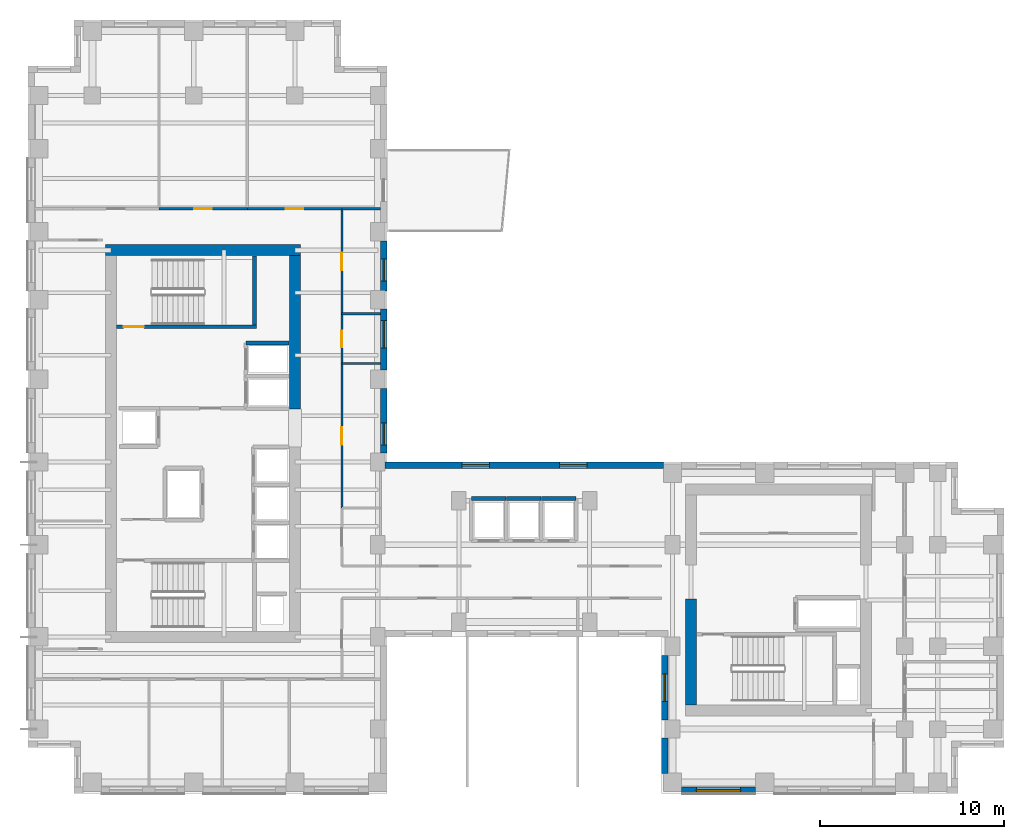
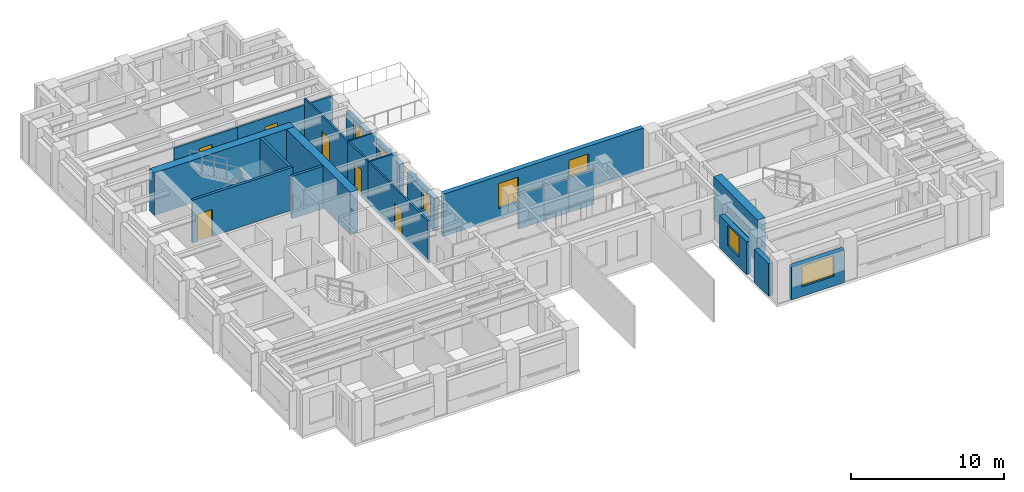
# One storey, part 6 of 11: 24 walls, 7 windows, 6 doors, 13 openings.
"""IFC4 building model written with IfcOpenShell, lengths in metres."""

from ifc_helpers import new_model, si_unit, direction, frame, frame_2d, origin, place, context, subcontext, project, spatial, rectangle, extrude, source, transform, mapped, material, layer, layer_set, type_object, element, fill, save


model = new_model("IFC4")

# Units and contexts
model_context = context("Model", 3, precision=1e-05, world=origin(), true_north=direction((0.0, 1.0)))
body_context = subcontext(model_context, "Body", "Model", "MODEL_VIEW")
ifc_project = project(units=[si_unit("LENGTHUNIT", "METRE"), si_unit("AREAUNIT", "SQUARE_METRE"), si_unit("VOLUMEUNIT", "CUBIC_METRE"), si_unit("PLANEANGLEUNIT", "RADIAN"), si_unit("MASSUNIT", "GRAM", prefix="KILO")], contexts=[model_context])

# Site, building, storey
site_placement = place(None, origin())
site = spatial("IfcSite", under=ifc_project, at=site_placement, CompositionType="ELEMENT")
building_placement = place(site_placement, origin())
building = spatial("IfcBuilding", under=site, at=building_placement, Name="Kharzan Plaza Tower", CompositionType="ELEMENT")
storey_placement = place(building_placement, frame((0.0, 0.0, 200.699951171875)))
storey = spatial("IfcBuildingStorey", under=building, at=storey_placement, Name="L54", CompositionType="ELEMENT", Elevation=200.699951171875)

# Wall, opening, window
ifc_material_1 = material(Name="Concrete C40/50", Category="concrete")
ifc_layer_1 = layer(ifc_material_1, 0.35009765625)
ifc_layer_set_1 = layer_set([ifc_layer_1], Name="Concrete C40/50")
wall_type_1 = type_object("IfcWallType", Name="WL-EXT-MAS-Z3", PredefinedType="SOLIDWALL", material=ifc_layer_set_1)
wall_1_placement = place(storey_placement, frame((34.574951171875, 7.501953125, 0.0), z_axis=(0.0, 0.0, 1.0), x_axis=(0.0, -1.0, 0.0)))
wall_1 = element("IfcWall", 1, at=wall_1_placement, inside=storey, type_object=wall_type_1, Name="L54 Masonry-Frame Exterior Wall 29", PredefinedType="SOLIDWALL", context=body_context, shape_type="SweptSolid", body=[
    extrude(rectangle(XDim=3.50390625, YDim=0.35009765625, at=frame_2d((1.751953125, 0.0))), origin(), (0.0, 0.0, 1.0), 2.612060546875),
])
opening_1_placement = place(wall_1_placement, frame((1.001953125, 0.0, 0.780029296875)))
opening_1 = element("IfcOpeningElement", 2, at=opening_1_placement, cuts=wall_1, Name="Opening W5", PredefinedType="OPENING", context=body_context, shape_type="SweptSolid", body=[
    extrude(rectangle(XDim=1.5, YDim=1.652099609375, at=frame_2d((0.75, 0.826171875))), frame((0.0, 0.18505859375, 0.0), z_axis=(0.0, -1.0, 0.0), x_axis=(1.0, 0.0, 0.0)), (0.0, 0.0, 1.0), 0.3701171875),
])
ifc_material_2 = material(Name="Low-E Double Glazing", Category="glass")
window_type_1 = type_object("IfcWindowType", Name="WN-SLT-1500x2000", PartitioningType="SINGLE_PANEL", PredefinedType="WINDOW", material=ifc_material_2)
shared_shape_1 = source(origin(), body_context, "Body", "SweptSolid", [
    extrude(rectangle(XDim=1.5, YDim=1.652099609375, at=frame_2d((0.75, 0.826171875))), frame((0.0, 0.030029296875, 0.0), z_axis=(0.0, -1.0, 0.0), x_axis=(1.0, 0.0, 0.0)), (0.0, 0.0, 1.0), 0.06005859375),
])
window_1_placement = place(opening_1_placement, origin())
window_1 = element("IfcWindow", 3, at=window_1_placement, inside=storey, type_object=window_type_1, Name="L54 Recessed Solar-Control Window 29-1", OverallHeight=1.652099609375, OverallWidth=1.5, PartitioningType="SINGLE_PANEL", PredefinedType="WINDOW", context=body_context, shape_type="MappedRepresentation", body=[
    mapped(shared_shape_1, transform((0.0, 0.0, 0.0), x_axis=(1.0, 0.0, 0.0), y_axis=(0.0, 1.0, 0.0), z_axis=(0.0, 0.0, 1.0))),
])
fill(opening_1, window_1)

wall_2_placement = place(storey_placement, frame((35.498046875, 0.175048828125, 0.0), z_axis=(0.0, 0.0, 1.0), x_axis=(1.0, 0.0, 0.0)))
wall_2 = element("IfcWall", 4, at=wall_2_placement, inside=storey, type_object=wall_type_1, Name="L54 Masonry-Frame Exterior Wall 31", PredefinedType="SOLIDWALL", context=body_context, shape_type="SweptSolid", body=[
    extrude(rectangle(XDim=4.00390625, YDim=0.35009765625, at=frame_2d((2.001953125, 0.0))), origin(), (0.0, 0.0, 1.0), 2.612060546875),
])
opening_2_placement = place(wall_2_placement, frame((0.802001953125, 0.0, 0.780029296875)))
opening_2 = element("IfcOpeningElement", 5, at=opening_2_placement, cuts=wall_2, Name="Opening W2", PredefinedType="OPENING", context=body_context, shape_type="SweptSolid", body=[
    extrude(rectangle(XDim=2.39990234375, YDim=1.652099609375, at=frame_2d((1.199951171875, 0.826171875))), frame((0.0, 0.18505859375, 0.0), z_axis=(0.0, -1.0, 0.0), x_axis=(1.0, 0.0, 0.0)), (0.0, 0.0, 1.0), 0.3701171875),
])
window_type_2 = type_object("IfcWindowType", Name="WN-REC-2400x2100", PartitioningType="SINGLE_PANEL", PredefinedType="WINDOW", material=ifc_material_2)
shared_shape_2 = source(origin(), body_context, "Body", "SweptSolid", [
    extrude(rectangle(XDim=2.39990234375, YDim=1.652099609375, at=frame_2d((1.199951171875, 0.826171875))), frame((0.0, 0.030029296875, 0.0), z_axis=(0.0, -1.0, 0.0), x_axis=(1.0, 0.0, 0.0)), (0.0, 0.0, 1.0), 0.06005859375),
])
window_2_placement = place(opening_2_placement, origin())
window_2 = element("IfcWindow", 6, at=window_2_placement, inside=storey, type_object=window_type_2, Name="L54 Wide Recessed Solar-Control Window 31-1", OverallHeight=1.652099609375, OverallWidth=2.39990234375, PartitioningType="SINGLE_PANEL", PredefinedType="WINDOW", context=body_context, shape_type="MappedRepresentation", body=[
    mapped(shared_shape_2, transform((0.0, 0.0, 0.0), x_axis=(1.0, 0.0, 0.0), y_axis=(0.0, 1.0, 0.0), z_axis=(0.0, 0.0, 1.0))),
])
fill(opening_2, window_2)

# Wall, openings, windows
wall_3_placement = place(storey_placement, frame((34.501953125, 17.824951171875, 0.0), z_axis=(0.0, 0.0, 1.0), x_axis=(-1.0, 0.0, 0.0)))
wall_3 = element("IfcWall", 7, at=wall_3_placement, inside=storey, type_object=wall_type_1, Name="L54 Masonry-Frame Exterior Wall 46", PredefinedType="SOLIDWALL", context=body_context, shape_type="SweptSolid", body=[
    extrude(rectangle(XDim=15.10400390625, YDim=0.35009765625, at=frame_2d((7.552001953125, 0.0))), origin(), (0.0, 0.0, 1.0), 3.385009765625),
])
opening_3_placement = place(wall_3_placement, frame((4.131103515625, 0.0, 0.780029296875)))
opening_3 = element("IfcOpeningElement", 8, at=opening_3_placement, cuts=wall_3, Name="Opening W5", PredefinedType="OPENING", context=body_context, shape_type="SweptSolid", body=[
    extrude(rectangle(XDim=1.5, YDim=2.0, at=frame_2d((0.75, 1.0))), frame((0.0, 0.18505859375, 0.0), z_axis=(0.0, -1.0, 0.0), x_axis=(1.0, 0.0, 0.0)), (0.0, 0.0, 1.0), 0.3701171875),
])
opening_4_placement = place(wall_3_placement, frame((9.4423828125, 0.0, 0.780029296875)))
opening_4 = element("IfcOpeningElement", 9, at=opening_4_placement, cuts=wall_3, Name="Opening W5", PredefinedType="OPENING", context=body_context, shape_type="SweptSolid", body=[
    extrude(rectangle(XDim=1.5, YDim=2.0, at=frame_2d((0.75, 1.0))), frame((0.0, 0.18505859375, 0.0), z_axis=(0.0, -1.0, 0.0), x_axis=(1.0, 0.0, 0.0)), (0.0, 0.0, 1.0), 0.3701171875),
])
shared_shape_3 = source(origin(), body_context, "Body", "SweptSolid", [
    extrude(rectangle(XDim=1.5, YDim=2.0, at=frame_2d((0.75, 1.0))), frame((0.0, 0.030029296875, 0.0), z_axis=(0.0, -1.0, 0.0), x_axis=(1.0, 0.0, 0.0)), (0.0, 0.0, 1.0), 0.06005859375),
])
window_3_placement = place(opening_3_placement, origin())
window_3 = element("IfcWindow", 10, at=window_3_placement, inside=storey, type_object=window_type_1, Name="L54 Recessed Solar-Control Window 46-1", OverallHeight=2.0, OverallWidth=1.5, PartitioningType="SINGLE_PANEL", PredefinedType="WINDOW", context=body_context, shape_type="MappedRepresentation", body=[
    mapped(shared_shape_3, transform((0.0, 0.0, 0.0), x_axis=(1.0, 0.0, 0.0), y_axis=(0.0, 1.0, 0.0), z_axis=(0.0, 0.0, 1.0))),
])
fill(opening_3, window_3)
window_4_placement = place(opening_4_placement, origin())
window_4 = element("IfcWindow", 11, at=window_4_placement, inside=storey, type_object=window_type_1, Name="L54 Recessed Solar-Control Window 46-2", OverallHeight=2.0, OverallWidth=1.5, PartitioningType="SINGLE_PANEL", PredefinedType="WINDOW", context=body_context, shape_type="MappedRepresentation", body=[
    mapped(shared_shape_3, transform((0.0, 0.0, 0.0), x_axis=(1.0, 0.0, 0.0), y_axis=(0.0, 1.0, 0.0), z_axis=(0.0, 0.0, 1.0))),
])
fill(opening_4, window_4)

# Wall, opening, window
wall_4_placement = place(storey_placement, frame((19.324951171875, 18.498046875, 0.0), z_axis=(0.0, 0.0, 1.0), x_axis=(0.0, 1.0, 0.0)))
wall_4 = element("IfcWall", 12, at=wall_4_placement, inside=storey, type_object=wall_type_1, Name="L54 Masonry-Frame Exterior Wall 47", PredefinedType="SOLIDWALL", context=body_context, shape_type="SweptSolid", body=[
    extrude(rectangle(XDim=3.50390625, YDim=0.35009765625, at=frame_2d((1.751953125, 0.0))), origin(), (0.0, 0.0, 1.0), 2.612060546875),
])
opening_5_placement = place(wall_4_placement, frame((0.4326171875, 0.0, 0.780029296875)))
opening_5 = element("IfcOpeningElement", 13, at=opening_5_placement, cuts=wall_4, Name="Opening W3", PredefinedType="OPENING", context=body_context, shape_type="SweptSolid", body=[
    extrude(rectangle(XDim=1.199951171875, YDim=1.652099609375, at=frame_2d((0.60009765625, 0.826171875))), frame((0.0, 0.18505859375, 0.0), z_axis=(0.0, -1.0, 0.0), x_axis=(1.0, 0.0, 0.0)), (0.0, 0.0, 1.0), 0.3701171875),
])
window_type_3 = type_object("IfcWindowType", Name="WN-REC-1200x2100", PartitioningType="SINGLE_PANEL", PredefinedType="WINDOW", material=ifc_material_2)
shared_shape_4 = source(origin(), body_context, "Body", "SweptSolid", [
    extrude(rectangle(XDim=1.199951171875, YDim=1.652099609375, at=frame_2d((0.60009765625, 0.826171875))), frame((0.0, 0.030029296875, 0.0), z_axis=(0.0, -1.0, 0.0), x_axis=(1.0, 0.0, 0.0)), (0.0, 0.0, 1.0), 0.06005859375),
])
window_5_placement = place(opening_5_placement, origin())
window_5 = element("IfcWindow", 14, at=window_5_placement, inside=storey, type_object=window_type_3, Name="L54 Recessed Solar-Control Window 47-1", OverallHeight=1.652099609375, OverallWidth=1.199951171875, PartitioningType="SINGLE_PANEL", PredefinedType="WINDOW", context=body_context, shape_type="MappedRepresentation", body=[
    mapped(shared_shape_4, transform((0.0, 0.0, 0.0), x_axis=(1.0, 0.0, 0.0), y_axis=(0.0, 1.0, 0.0), z_axis=(0.0, 0.0, 1.0))),
])
fill(opening_5, window_5)

wall_5_placement = place(storey_placement, frame((19.324951171875, 22.998046875, 0.0), z_axis=(0.0, 0.0, 1.0), x_axis=(0.0, 1.0, 0.0)))
wall_5 = element("IfcWall", 15, at=wall_5_placement, inside=storey, type_object=wall_type_1, Name="L54 Masonry-Frame Exterior Wall 48", PredefinedType="SOLIDWALL", context=body_context, shape_type="SweptSolid", body=[
    extrude(rectangle(XDim=3.303955078125, YDim=0.35009765625, at=frame_2d((1.65185546875, 0.0))), origin(), (0.0, 0.0, 1.0), 2.612060546875),
])
opening_6_placement = place(wall_5_placement, frame((1.180419921875, 0.0, 0.780029296875)))
opening_6 = element("IfcOpeningElement", 16, at=opening_6_placement, cuts=wall_5, Name="Opening W5", PredefinedType="OPENING", context=body_context, shape_type="SweptSolid", body=[
    extrude(rectangle(XDim=1.5, YDim=1.652099609375, at=frame_2d((0.75, 0.826171875))), frame((0.0, 0.18505859375, 0.0), z_axis=(0.0, -1.0, 0.0), x_axis=(1.0, 0.0, 0.0)), (0.0, 0.0, 1.0), 0.3701171875),
])
window_6_placement = place(opening_6_placement, origin())
window_6 = element("IfcWindow", 17, at=window_6_placement, inside=storey, type_object=window_type_1, Name="L54 Recessed Solar-Control Window 48-1", OverallHeight=1.652099609375, OverallWidth=1.5, PartitioningType="SINGLE_PANEL", PredefinedType="WINDOW", context=body_context, shape_type="MappedRepresentation", body=[
    mapped(shared_shape_1, transform((0.0, 0.0, 0.0), x_axis=(1.0, 0.0, 0.0), y_axis=(0.0, 1.0, 0.0), z_axis=(0.0, 0.0, 1.0))),
])
fill(opening_6, window_6)

wall_6_placement = place(storey_placement, frame((19.324951171875, 27.298095703125, 0.0), z_axis=(0.0, 0.0, 1.0), x_axis=(0.0, 1.0, 0.0)))
wall_6 = element("IfcWall", 18, at=wall_6_placement, inside=storey, type_object=wall_type_1, Name="L54 Masonry-Frame Exterior Wall 49", PredefinedType="SOLIDWALL", context=body_context, shape_type="SweptSolid", body=[
    extrude(rectangle(XDim=2.703857421875, YDim=0.35009765625, at=frame_2d((1.35205078125, 0.0))), origin(), (0.0, 0.0, 1.0), 2.612060546875),
])
opening_7_placement = place(wall_6_placement, frame((0.523681640625, 0.0, 0.780029296875)))
opening_7 = element("IfcOpeningElement", 19, at=opening_7_placement, cuts=wall_6, Name="Opening W3", PredefinedType="OPENING", context=body_context, shape_type="SweptSolid", body=[
    extrude(rectangle(XDim=1.199951171875, YDim=1.652099609375, at=frame_2d((0.60009765625, 0.826171875))), frame((0.0, 0.18505859375, 0.0), z_axis=(0.0, -1.0, 0.0), x_axis=(1.0, 0.0, 0.0)), (0.0, 0.0, 1.0), 0.3701171875),
])
window_7_placement = place(opening_7_placement, origin())
window_7 = element("IfcWindow", 20, at=window_7_placement, inside=storey, type_object=window_type_3, Name="L54 Recessed Solar-Control Window 49-1", OverallHeight=1.652099609375, OverallWidth=1.199951171875, PartitioningType="SINGLE_PANEL", PredefinedType="WINDOW", context=body_context, shape_type="MappedRepresentation", body=[
    mapped(shared_shape_4, transform((0.0, 0.0, 0.0), x_axis=(1.0, 0.0, 0.0), y_axis=(0.0, 1.0, 0.0), z_axis=(0.0, 0.0, 1.0))),
])
fill(opening_7, window_7)

# Wall, opening, door
ifc_material_3 = material(Name="Fire-Rated Gypsum Board Partition", Category="gypsum")
ifc_layer_2 = layer(ifc_material_3, 0.125)
ifc_layer_set_2 = layer_set([ifc_layer_2], Name="Fire-Rated Gypsum Board Partition")
wall_type_2 = type_object("IfcWallType", Name="WL-INT-PART-125", PredefinedType="PARTITIONING", material=ifc_layer_set_2)
wall_7_placement = place(storey_placement, frame((17.050048828125, 15.5, 0.0), z_axis=(0.0, 0.0, 1.0), x_axis=(0.0, 1.0, 0.0)))
wall_7 = element("IfcWall", 21, at=wall_7_placement, inside=storey, type_object=wall_type_2, Name="L54 Interior Partition SH-AEWN2", PredefinedType="PARTITIONING", context=body_context, shape_type="SweptSolid", body=[
    extrude(rectangle(XDim=7.85009765625, YDim=0.125, at=frame_2d((3.925048828125, 0.0))), origin(), (0.0, 0.0, 1.0), 3.385009765625),
])
opening_8_placement = place(wall_7_placement, frame((3.449951171875, 0.0, 0.0)))
opening_8 = element("IfcOpeningElement", 22, at=opening_8_placement, cuts=wall_7, Name="Opening OD1", PredefinedType="OPENING", context=body_context, shape_type="SweptSolid", body=[
    extrude(rectangle(XDim=0.949951171875, YDim=2.14990234375, at=frame_2d((0.47509765625, 1.074951171875))), frame((0.0, 0.072509765625, 0.0), z_axis=(0.0, -1.0, 0.0), x_axis=(1.0, 0.0, 0.0)), (0.0, 0.0, 1.0), 0.14501953125),
])
ifc_material_4 = material(Name="Acoustic Solid-Core Stained Oak", Category="timber")
door_type_1 = type_object("IfcDoorType", Name="DR-OFF-SINGLE", OperationType="NOTDEFINED", PredefinedType="DOOR", material=ifc_material_4)
shared_shape_5 = source(origin(), body_context, "Body", "SweptSolid", [
    extrude(rectangle(XDim=0.949951171875, YDim=2.14990234375, at=frame_2d((0.47509765625, 1.074951171875))), frame((0.0, 0.02490234375, 0.0), z_axis=(0.0, -1.0, 0.0), x_axis=(1.0, 0.0, 0.0)), (0.0, 0.0, 1.0), 0.050048828125),
])
door_1_placement = place(opening_8_placement, origin())
door_1 = element("IfcDoor", 23, at=door_1_placement, inside=storey, type_object=door_type_1, Name="L54 Slot Studio Door", OperationType="SINGLE_SWING_RIGHT", OverallHeight=2.14990234375, OverallWidth=0.949951171875, PredefinedType="DOOR", context=body_context, shape_type="MappedRepresentation", body=[
    mapped(shared_shape_5, transform((0.0, 0.0, 0.0), x_axis=(1.0, 0.0, 0.0), y_axis=(0.0, 1.0, 0.0), z_axis=(0.0, 0.0, 1.0))),
])
fill(opening_8, door_1)

wall_8_placement = place(storey_placement, frame((17.050048828125, 26.050048828125, 0.0), z_axis=(0.0, 0.0, 1.0), x_axis=(0.0, 1.0, 0.0)))
wall_8 = element("IfcWall", 24, at=wall_8_placement, inside=storey, type_object=wall_type_2, Name="L54 Interior Partition SH-AEWN3", PredefinedType="PARTITIONING", context=body_context, shape_type="SweptSolid", body=[
    extrude(rectangle(XDim=5.699951171875, YDim=0.125, at=frame_2d((2.85009765625, 0.0))), origin(), (0.0, 0.0, 1.0), 3.385009765625),
])
opening_9_placement = place(wall_8_placement, frame((2.375, 0.0, 0.0)))
opening_9 = element("IfcOpeningElement", 25, at=opening_9_placement, cuts=wall_8, Name="Opening OD1", PredefinedType="OPENING", context=body_context, shape_type="SweptSolid", body=[
    extrude(rectangle(XDim=0.949951171875, YDim=2.14990234375, at=frame_2d((0.47509765625, 1.074951171875))), frame((0.0, 0.072509765625, 0.0), z_axis=(0.0, -1.0, 0.0), x_axis=(1.0, 0.0, 0.0)), (0.0, 0.0, 1.0), 0.14501953125),
])
door_2_placement = place(opening_9_placement, origin())
door_2 = element("IfcDoor", 26, at=door_2_placement, inside=storey, type_object=door_type_1, Name="L54 Staff Tea Point Door", OperationType="SINGLE_SWING_RIGHT", OverallHeight=2.14990234375, OverallWidth=0.949951171875, PredefinedType="DOOR", context=body_context, shape_type="MappedRepresentation", body=[
    mapped(shared_shape_5, transform((0.0, 0.0, 0.0), x_axis=(1.0, 0.0, 0.0), y_axis=(0.0, 1.0, 0.0), z_axis=(0.0, 0.0, 1.0))),
])
fill(opening_9, door_2)

wall_9_placement = place(storey_placement, frame((17.050048828125, 23.35009765625, 0.0), z_axis=(0.0, 0.0, 1.0), x_axis=(0.0, 1.0, 0.0)))
wall_9 = element("IfcWall", 27, at=wall_9_placement, inside=storey, type_object=wall_type_2, Name="L54 Interior Partition SH-AEWW", PredefinedType="PARTITIONING", context=body_context, shape_type="SweptSolid", body=[
    extrude(rectangle(XDim=2.699951171875, YDim=0.125, at=frame_2d((1.35009765625, 0.0))), origin(), (0.0, 0.0, 1.0), 3.385009765625),
])
opening_10_placement = place(wall_9_placement, frame((0.875, 0.0, 0.0)))
opening_10 = element("IfcOpeningElement", 28, at=opening_10_placement, cuts=wall_9, Name="Opening WD1", PredefinedType="OPENING", context=body_context, shape_type="SweptSolid", body=[
    extrude(rectangle(XDim=0.89990234375, YDim=2.14990234375, at=frame_2d((0.449951171875, 1.074951171875))), frame((0.0, 0.072509765625, 0.0), z_axis=(0.0, -1.0, 0.0), x_axis=(1.0, 0.0, 0.0)), (0.0, 0.0, 1.0), 0.14501953125),
])
ifc_material_5 = material(Name="Moisture-Resistant Fire-Rated Laminate", Category="timber")
door_type_2 = type_object("IfcDoorType", Name="DR-WC-900", OperationType="NOTDEFINED", PredefinedType="DOOR", material=ifc_material_5)
shared_shape_6 = source(origin(), body_context, "Body", "SweptSolid", [
    extrude(rectangle(XDim=0.89990234375, YDim=2.14990234375, at=frame_2d((0.449951171875, 1.074951171875))), frame((0.0, 0.02490234375, 0.0), z_axis=(0.0, -1.0, 0.0), x_axis=(1.0, 0.0, 0.0)), (0.0, 0.0, 1.0), 0.050048828125),
])
door_3_placement = place(opening_10_placement, origin())
door_3 = element("IfcDoor", 29, at=door_3_placement, inside=storey, type_object=door_type_2, Name="L54 Wing A Washroom Door", OperationType="SINGLE_SWING_LEFT", OverallHeight=2.14990234375, OverallWidth=0.89990234375, PredefinedType="DOOR", context=body_context, shape_type="MappedRepresentation", body=[
    mapped(shared_shape_6, transform((0.0, 0.0, 0.0), x_axis=(1.0, 0.0, 0.0), y_axis=(0.0, 1.0, 0.0), z_axis=(0.0, 0.0, 1.0))),
])
fill(opening_10, door_3)

wall_10_placement = place(storey_placement, frame((7.12109375, 31.75, 0.0), z_axis=(0.0, 0.0, 1.0), x_axis=(1.0, 0.0, 0.0)))
wall_10 = element("IfcWall", 30, at=wall_10_placement, inside=storey, type_object=wall_type_2, Name="L54 Interior Partition SH-NN-2", PredefinedType="PARTITIONING", context=body_context, shape_type="SweptSolid", body=[
    extrude(rectangle(XDim=4.794921875, YDim=0.125, at=frame_2d((2.3974609375, 0.0))), origin(), (0.0, 0.0, 1.0), 2.84814453125),
])
opening_11_placement = place(wall_10_placement, frame((1.922607421875, 0.0, 0.0)))
opening_11 = element("IfcOpeningElement", 31, at=opening_11_placement, cuts=wall_10, Name="Opening OD1", PredefinedType="OPENING", context=body_context, shape_type="SweptSolid", body=[
    extrude(rectangle(XDim=0.949951171875, YDim=2.14990234375, at=frame_2d((0.47509765625, 1.074951171875))), frame((0.0, 0.072509765625, 0.0), z_axis=(0.0, -1.0, 0.0), x_axis=(1.0, 0.0, 0.0)), (0.0, 0.0, 1.0), 0.14501953125),
])
door_4_placement = place(opening_11_placement, origin())
door_4 = element("IfcDoor", 32, at=door_4_placement, inside=storey, type_object=door_type_1, Name="L54 Cartography Drafting Studio Door", OperationType="SINGLE_SWING_RIGHT", OverallHeight=2.14990234375, OverallWidth=0.949951171875, PredefinedType="DOOR", context=body_context, shape_type="MappedRepresentation", body=[
    mapped(shared_shape_5, transform((0.0, 0.0, 0.0), x_axis=(1.0, 0.0, 0.0), y_axis=(0.0, 1.0, 0.0), z_axis=(0.0, 0.0, 1.0))),
])
fill(opening_11, door_4)

wall_11_placement = place(storey_placement, frame((11.916015625, 31.75, 0.0), z_axis=(0.0, 0.0, 1.0), x_axis=(1.0, 0.0, 0.0)))
wall_11 = element("IfcWall", 33, at=wall_11_placement, inside=storey, type_object=wall_type_2, Name="L54 Interior Partition SH-NN-3", PredefinedType="PARTITIONING", context=body_context, shape_type="SweptSolid", body=[
    extrude(rectangle(XDim=5.134033203125, YDim=0.125, at=frame_2d((2.56689453125, 0.0))), origin(), (0.0, 0.0, 1.0), 2.84814453125),
])
opening_12_placement = place(wall_11_placement, frame((2.092041015625, 0.0, 0.0)))
opening_12 = element("IfcOpeningElement", 34, at=opening_12_placement, cuts=wall_11, Name="Opening OD1", PredefinedType="OPENING", context=body_context, shape_type="SweptSolid", body=[
    extrude(rectangle(XDim=0.949951171875, YDim=2.14990234375, at=frame_2d((0.47509765625, 1.074951171875))), frame((0.0, 0.072509765625, 0.0), z_axis=(0.0, -1.0, 0.0), x_axis=(1.0, 0.0, 0.0)), (0.0, 0.0, 1.0), 0.14501953125),
])
door_5_placement = place(opening_12_placement, origin())
door_5 = element("IfcDoor", 35, at=door_5_placement, inside=storey, type_object=door_type_1, Name="L54 Project Controls Office Door", OperationType="SINGLE_SWING_LEFT", OverallHeight=2.14990234375, OverallWidth=0.949951171875, PredefinedType="DOOR", context=body_context, shape_type="MappedRepresentation", body=[
    mapped(shared_shape_5, transform((0.0, 0.0, 0.0), x_axis=(1.0, 0.0, 0.0), y_axis=(0.0, 1.0, 0.0), z_axis=(0.0, 0.0, 1.0))),
])
fill(opening_12, door_5)

ifc_material_6 = material(Name="Concrete C50/60", Category="concrete")
ifc_layer_3 = layer(ifc_material_6, 0.199951171875)
ifc_layer_set_3 = layer_set([ifc_layer_3], Name="Concrete C50/60")
wall_type_3 = type_object("IfcWallType", Name="WL-SHAFT-RC200", PredefinedType="SHEAR", material=ifc_layer_set_3)
wall_12_placement = place(storey_placement, frame((4.802001953125, 25.344970703125, 0.0), z_axis=(0.0, 0.0, 1.0), x_axis=(1.0, 0.0, 0.0)))
wall_12 = element("IfcWall", 36, at=wall_12_placement, inside=storey, type_object=wall_type_3, Name="L54 Stair ST-2 South RC Shaft Wall", PredefinedType="SHEAR", context=body_context, shape_type="SweptSolid", body=[
    extrude(rectangle(XDim=7.60302734375, YDim=0.199951171875, at=frame_2d((3.801513671875, 0.0))), origin(), (0.0, 0.0, 1.0), 3.400146484375),
])
opening_13_placement = place(wall_12_placement, frame((0.39990234375, 0.0, 0.0)))
opening_13 = element("IfcOpeningElement", 37, at=opening_13_placement, cuts=wall_12, Name="Opening SD1", PredefinedType="OPENING", context=body_context, shape_type="SweptSolid", body=[
    extrude(rectangle(XDim=1.10009765625, YDim=2.14990234375, at=frame_2d((0.550048828125, 1.074951171875))), frame((0.0, 0.10986328125, 0.0), z_axis=(0.0, -1.0, 0.0), x_axis=(1.0, 0.0, 0.0)), (0.0, 0.0, 1.0), 0.219970703125),
])
ifc_material_7 = material(Name="Fire-Rated Hollow Galvanized Steel", Category="steel")
door_type_3 = type_object("IfcDoorType", Name="DR-STAIR-FD120", OperationType="NOTDEFINED", PredefinedType="DOOR", material=ifc_material_7)
shared_shape_7 = source(origin(), body_context, "Body", "SweptSolid", [
    extrude(rectangle(XDim=1.10009765625, YDim=2.14990234375, at=frame_2d((0.550048828125, 1.074951171875))), frame((0.0, 0.02490234375, 0.0), z_axis=(0.0, -1.0, 0.0), x_axis=(1.0, 0.0, 0.0)), (0.0, 0.0, 1.0), 0.050048828125),
])
door_6_placement = place(opening_13_placement, origin())
door_6 = element("IfcDoor", 38, at=door_6_placement, inside=storey, type_object=door_type_3, Name="L54 Stair ST-2 Fire Exit Door", OperationType="SINGLE_SWING_RIGHT", OverallHeight=2.14990234375, OverallWidth=1.10009765625, PredefinedType="DOOR", context=body_context, shape_type="MappedRepresentation", body=[
    mapped(shared_shape_7, transform((0.0, 0.0, 0.0), x_axis=(1.0, 0.0, 0.0), y_axis=(0.0, 1.0, 0.0), z_axis=(0.0, 0.0, 1.0))),
])
fill(opening_13, door_6)

# Walls
shared_shape_8 = source(origin(), body_context, "Body", "SweptSolid", [
    extrude(rectangle(XDim=2.097900390625, YDim=0.125, at=frame_2d((1.048828125, 0.0))), origin(), (0.0, 0.0, 1.0), 3.385009765625),
])
for number, where, z_axis, x_axis, name in (
    (39, (17.050048828125, 23.35009765625, 0.0), (0.0, 0.0, 1.0), (1.0, 0.0, 0.0), "L54 Interior Partition SH-AEH-233"),
    (40, (17.050048828125, 26.050048828125, 0.0), (0.0, 0.0, 1.0), (1.0, 0.0, 0.0), "L54 Interior Partition SH-AEH-260"),
):
    element("IfcWall", number, at=place(storey_placement, frame(where, z_axis=z_axis, x_axis=x_axis)), inside=storey, type_object=wall_type_2, Name=name, PredefinedType="PARTITIONING", context=body_context, shape_type="MappedRepresentation", body=[
        mapped(shared_shape_8, transform((0.0, 0.0, 0.0), x_axis=(1.0, 0.0, 0.0), y_axis=(0.0, 1.0, 0.0), z_axis=(0.0, 0.0, 1.0))),
    ])
ifc_layer_4 = layer(ifc_material_1, 0.199951171875)
ifc_layer_set_4 = layer_set([ifc_layer_4], Name="Concrete C40/50")
wall_type_4 = type_object("IfcWallType", Name="WL-INT-SHAFT-200", PredefinedType="PARTITIONING", material=ifc_layer_set_4)
shared_shape_9 = source(origin(), body_context, "Body", "SweptSolid", [
    extrude(rectangle(XDim=2.33984375, YDim=0.199951171875, at=frame_2d((1.169921875, 0.0))), origin(), (0.0, 0.0, 1.0), 3.385009765625),
])
wall_13_placement = place(storey_placement, frame((11.830078125, 24.4599609375, 0.0), z_axis=(0.0, 0.0, 1.0), x_axis=(1.0, 0.0, 0.0)))
element("IfcWall", 41, at=wall_13_placement, inside=storey, type_object=wall_type_4, Name="L54 Interior Partition SHF-FFL-2-N", PredefinedType="PARTITIONING", context=body_context, shape_type="MappedRepresentation", body=[
    mapped(shared_shape_9, transform((0.0, 0.0, 0.0), x_axis=(1.0, 0.0, 0.0), y_axis=(0.0, 1.0, 0.0), z_axis=(0.0, 0.0, 1.0))),
])
shared_shape_10 = source(origin(), body_context, "Body", "SweptSolid", [
    extrude(rectangle(XDim=1.889892578125, YDim=0.199951171875, at=frame_2d((0.94482421875, 0.0))), origin(), (0.0, 0.0, 1.0), 2.77294921875),
])
wall_14_placement = place(storey_placement, frame((24.080078125, 16.02001953125, 0.0), z_axis=(0.0, 0.0, 1.0), x_axis=(1.0, 0.0, 0.0)))
element("IfcWall", 42, at=wall_14_placement, inside=storey, type_object=wall_type_4, Name="L54 Interior Partition SHF-PL-M1-N", PredefinedType="PARTITIONING", context=body_context, shape_type="MappedRepresentation", body=[
    mapped(shared_shape_10, transform((0.0, 0.0, 0.0), x_axis=(1.0, 0.0, 0.0), y_axis=(0.0, 1.0, 0.0), z_axis=(0.0, 0.0, 1.0))),
])
shared_shape_11 = source(origin(), body_context, "Body", "SweptSolid", [
    extrude(rectangle(XDim=1.89013671875, YDim=0.199951171875, at=frame_2d((0.945068359375, 0.0))), origin(), (0.0, 0.0, 1.0), 2.77294921875),
])
for number, where, z_axis, x_axis, name in (
    (43, (25.97998046875, 16.02001953125, 0.0), (0.0, 0.0, 1.0), (1.0, 0.0, 0.0), "L54 Interior Partition SHF-PL-M2-N"),
    (44, (27.8798828125, 16.02001953125, 0.0), (0.0, 0.0, 1.0), (1.0, 0.0, 0.0), "L54 Interior Partition SHF-PL-M3-N"),
):
    element("IfcWall", number, at=place(storey_placement, frame(where, z_axis=z_axis, x_axis=x_axis)), inside=storey, type_object=wall_type_4, Name=name, PredefinedType="PARTITIONING", context=body_context, shape_type="MappedRepresentation", body=[
        mapped(shared_shape_11, transform((0.0, 0.0, 0.0), x_axis=(1.0, 0.0, 0.0), y_axis=(0.0, 1.0, 0.0), z_axis=(0.0, 0.0, 1.0))),
    ])
ifc_layer_5 = layer(ifc_material_6, 0.60009765625)
ifc_layer_set_5 = layer_set([ifc_layer_5], Name="Concrete C50/60")
wall_type_5 = type_object("IfcWallType", Name="WL-CORE-600", PredefinedType="SHEAR", material=ifc_layer_set_5)
shared_shape_12 = source(origin(), body_context, "Body", "SweptSolid", [
    extrude(rectangle(XDim=8.320068359375, YDim=0.60009765625, at=frame_2d((4.16015625, 0.0))), origin(), (0.0, 0.0, 1.0), 3.400146484375),
])
wall_15_placement = place(storey_placement, frame((14.5, 20.8798828125, 0.0), z_axis=(0.0, 0.0, 1.0), x_axis=(0.0, 1.0, 0.0)))
element("IfcWall", 45, at=wall_15_placement, inside=storey, type_object=wall_type_5, Name="L54 CORE-A east shear pier 2", PredefinedType="SHEAR", context=body_context, shape_type="MappedRepresentation", body=[
    mapped(shared_shape_12, transform((0.0, 0.0, 0.0), x_axis=(1.0, 0.0, 0.0), y_axis=(0.0, 1.0, 0.0), z_axis=(0.0, 0.0, 1.0))),
])
shared_shape_13 = source(origin(), body_context, "Body", "SweptSolid", [
    extrude(rectangle(XDim=10.60009765625, YDim=0.60009765625, at=frame_2d((5.300048828125, 0.0))), origin(), (0.0, 0.0, 1.0), 3.400146484375),
])
wall_16_placement = place(storey_placement, frame((4.199951171875, 29.5, 0.0), z_axis=(0.0, 0.0, 1.0), x_axis=(1.0, 0.0, 0.0)))
element("IfcWall", 46, at=wall_16_placement, inside=storey, type_object=wall_type_5, Name="L54 CORE-A north RC shear wall", PredefinedType="SHEAR", context=body_context, shape_type="MappedRepresentation", body=[
    mapped(shared_shape_13, transform((0.0, 0.0, 0.0), x_axis=(1.0, 0.0, 0.0), y_axis=(0.0, 1.0, 0.0), z_axis=(0.0, 0.0, 1.0))),
])
shared_shape_14 = source(origin(), body_context, "Body", "SweptSolid", [
    extrude(rectangle(XDim=5.75, YDim=0.60009765625, at=frame_2d((2.875, 0.0))), origin(), (0.0, 0.0, 1.0), 3.400146484375),
])
wall_17_placement = place(storey_placement, frame((36.0, 4.800048828125, 0.0), z_axis=(0.0, 0.0, 1.0), x_axis=(0.0, 1.0, 0.0)))
element("IfcWall", 47, at=wall_17_placement, inside=storey, type_object=wall_type_5, Name="L54 CORE-B west shear pier 1", PredefinedType="SHEAR", context=body_context, shape_type="MappedRepresentation", body=[
    mapped(shared_shape_14, transform((0.0, 0.0, 0.0), x_axis=(1.0, 0.0, 0.0), y_axis=(0.0, 1.0, 0.0), z_axis=(0.0, 0.0, 1.0))),
])
shared_shape_15 = source(origin(), body_context, "Body", "SweptSolid", [
    extrude(rectangle(XDim=1.904052734375, YDim=0.35009765625, at=frame_2d((0.9521484375, 0.0))), origin(), (0.0, 0.0, 1.0), 2.612060546875),
])
wall_18_placement = place(storey_placement, frame((34.574951171875, 3.001953125, 0.0), z_axis=(0.0, 0.0, 1.0), x_axis=(0.0, -1.0, 0.0)))
element("IfcWall", 48, at=wall_18_placement, inside=storey, type_object=wall_type_1, Name="L54 Masonry-Frame Exterior Wall 30", PredefinedType="SOLIDWALL", context=body_context, shape_type="MappedRepresentation", body=[
    mapped(shared_shape_15, transform((0.0, 0.0, 0.0), x_axis=(1.0, 0.0, 0.0), y_axis=(0.0, 1.0, 0.0), z_axis=(0.0, 0.0, 1.0))),
])
shared_shape_16 = source(origin(), body_context, "Body", "SweptSolid", [
    extrude(rectangle(XDim=3.7529296875, YDim=0.199951171875, at=frame_2d((1.87646484375, 0.0))), origin(), (0.0, 0.0, 1.0), 3.400146484375),
])
wall_19_placement = place(storey_placement, frame((12.304931640625, 25.445068359375, 0.0), z_axis=(0.0, 0.0, 1.0), x_axis=(0.0, 1.0, 0.0)))
element("IfcWall", 49, at=wall_19_placement, inside=storey, type_object=wall_type_3, Name="L54 Stair ST-2 East RC Shaft Wall", PredefinedType="SHEAR", context=body_context, shape_type="MappedRepresentation", body=[
    mapped(shared_shape_16, transform((0.0, 0.0, 0.0), x_axis=(1.0, 0.0, 0.0), y_axis=(0.0, 1.0, 0.0), z_axis=(0.0, 0.0, 1.0))),
])
shared_shape_17 = source(origin(), body_context, "Body", "SweptSolid", [
    extrude(rectangle(XDim=2.097900390625, YDim=0.125, at=frame_2d((1.048828125, 0.0))), origin(), (0.0, 0.0, 1.0), 2.84814453125),
])
wall_20_placement = place(storey_placement, frame((17.050048828125, 31.75, 0.0), z_axis=(0.0, 0.0, 1.0), x_axis=(1.0, 0.0, 0.0)))
element("IfcWall", 50, at=wall_20_placement, inside=storey, type_object=wall_type_2, Name="L54 Interior Partition SH-NNE0", PredefinedType="PARTITIONING", context=body_context, shape_type="MappedRepresentation", body=[
    mapped(shared_shape_17, transform((0.0, 0.0, 0.0), x_axis=(1.0, 0.0, 0.0), y_axis=(0.0, 1.0, 0.0), z_axis=(0.0, 0.0, 1.0))),
])

save(model, "model.ifc")
